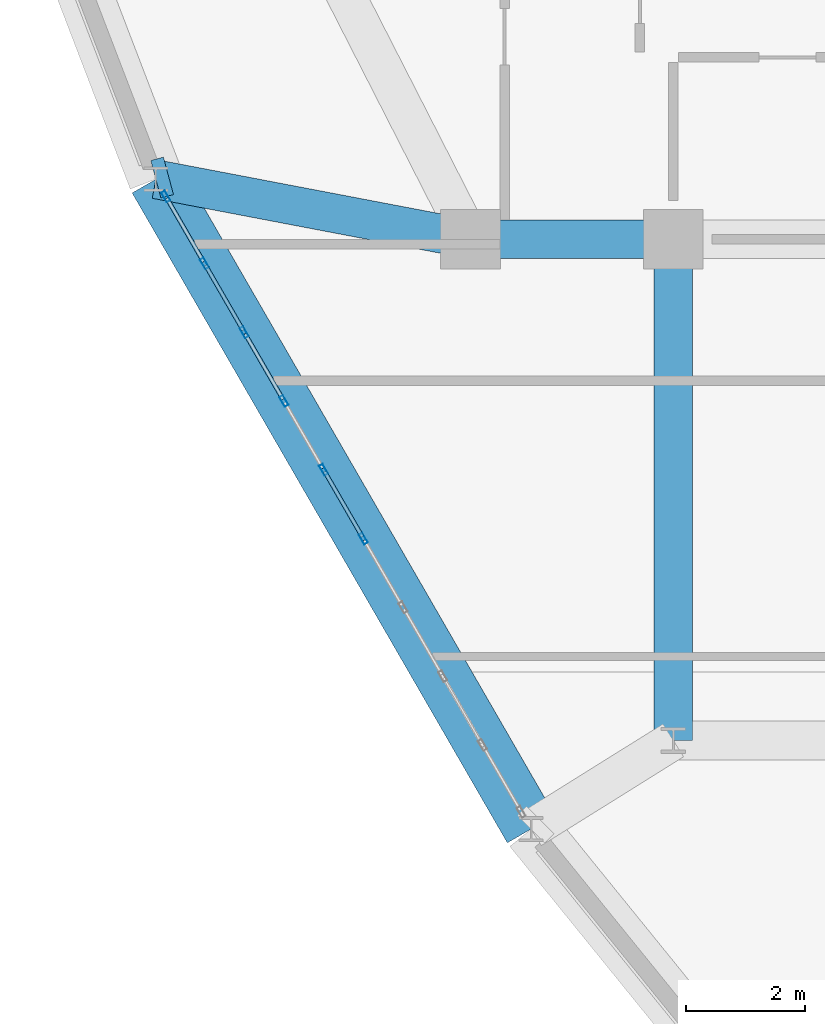
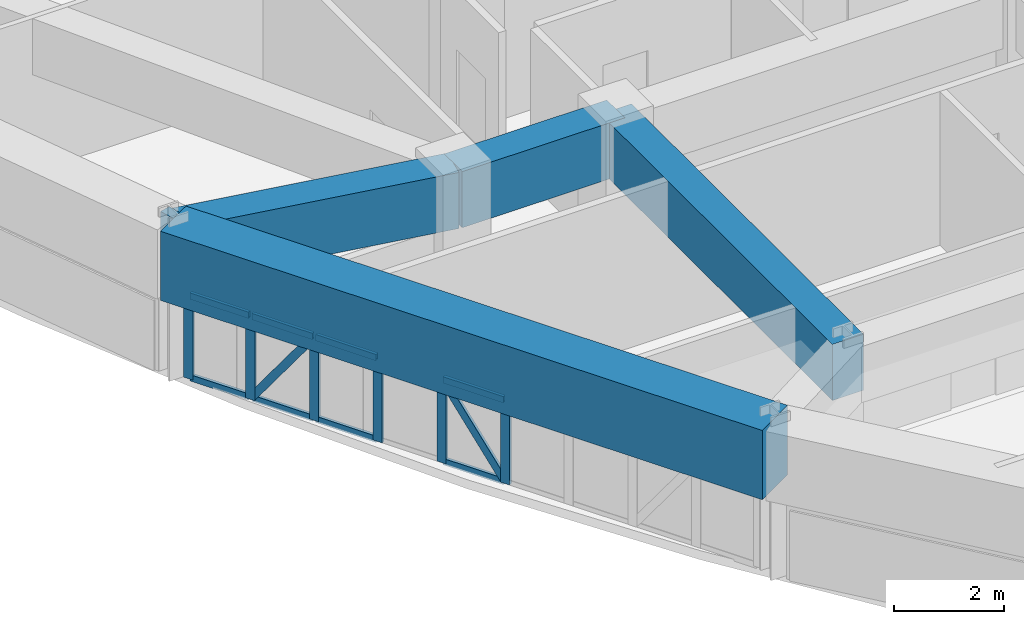
# One storey, part 4 of 14: 16 members, 5 beams, 1 element without a shape of its own.
"""IFC4 building model written with IfcOpenShell, lengths in metres."""

import ifcopenshell
import ifcopenshell.guid

model = None  # the IFC model being written
_history = None  # IfcOwnerHistory: only IFC2X3 demands one
_inside = {}  # id of a spatial element -> (the spatial element, [elements in it])
_under = {}  # id of a project, library or spatial element -> (it, [spatial elements below it])
_declared = {}  # id of a project -> (the project, [libraries it declares])
_typed = {}  # id of a type object -> (the type object, [elements of that type])
_made_of = {}  # id of a material, layer set ... -> (it, [elements and type objects made of it])


def new_model(schema):
    """Start an empty IFC model of exactly this schema.

    Asked for "IFC4X3", IfcOpenShell would pick the latest addendum, in which some entities
    have other attributes; the version numbers below select the first issue.
    IFC2X3 requires an IfcOwnerHistory on every rooted entity: one is made here for all.
    """
    global model, _history
    if schema == "IFC4X3":
        model = ifcopenshell.file(schema_version=(4, 3, 0, 0))
    else:
        model = ifcopenshell.file(schema=schema)
    _inside.clear()
    _under.clear()
    _declared.clear()
    _typed.clear()
    _made_of.clear()
    _history = None
    if model.schema == "IFC2X3":
        org = make("IfcOrganization", Name="unknown")
        user = make(
            "IfcPersonAndOrganization",
            ThePerson=make("IfcPerson", FamilyName="unknown"),
            TheOrganization=org,
        )
        app = make(
            "IfcApplication",
            ApplicationDeveloper=org,
            Version="unknown",
            ApplicationFullName="unknown",
            ApplicationIdentifier="unknown",
        )
        _history = make(
            "IfcOwnerHistory",
            OwningUser=user,
            OwningApplication=app,
            ChangeAction="ADDED",
            CreationDate=0,
        )
    return model


def make(cls, **values):
    """One entity of the class cls with the attributes given. An attribute that is None is left unset."""
    return model.create_entity(
        cls, **{name: value for name, value in values.items() if value is not None}
    )


def rooted(cls, **values):
    """An entity with a GlobalId (a new one), such as an element, a storey or a relation."""
    return make(cls, GlobalId=ifcopenshell.guid.new(), OwnerHistory=_history, **values)


def si_unit(unit_type, name, prefix=None):
    """IfcSIUnit, for example si_unit("LENGTHUNIT", "METRE", prefix="MILLI")."""
    return make("IfcSIUnit", UnitType=unit_type, Prefix=prefix, Name=name)


def derived_unit(unit_type, elements):
    """IfcDerivedUnit: a product of units, each with its exponent."""
    return make(
        "IfcDerivedUnit",
        Elements=[
            make("IfcDerivedUnitElement", Unit=unit, Exponent=power)
            for unit, power in elements
        ],
        UnitType=unit_type,
    )


def assignment(units):
    """IfcUnitAssignment: the units of a project."""
    return None if units is None else make("IfcUnitAssignment", Units=units)


def point(xyz):
    """IfcCartesianPoint."""
    return None if xyz is None else make("IfcCartesianPoint", Coordinates=xyz)


def direction(xyz):
    """IfcDirection."""
    return None if xyz is None else make("IfcDirection", DirectionRatios=xyz)


def frame(location, z_axis=None, x_axis=None):
    """IfcAxis2Placement3D, a coordinate frame: its origin and axes. An axis left out is left unset."""
    return make(
        "IfcAxis2Placement3D",
        Location=point(location),
        Axis=direction(z_axis),
        RefDirection=direction(x_axis),
    )


def frame_2d(location, x_axis=None):
    """IfcAxis2Placement2D, a coordinate frame in the plane: its origin and x axis."""
    return make(
        "IfcAxis2Placement2D", Location=point(location), RefDirection=direction(x_axis)
    )


def origin():
    """The frame at (0, 0, 0) with its axes left unset."""
    return frame((0.0, 0.0, 0.0))


def origin_2d():
    """The frame at (0, 0) in the plane with its x axis left unset."""
    return frame_2d((0.0, 0.0))


def place(relative_to, where):
    """IfcLocalPlacement: puts the frame where relative to a parent placement (None: the world)."""
    return make(
        "IfcLocalPlacement", PlacementRelTo=relative_to, RelativePlacement=where
    )


def context(
    kind, dimensions, precision=None, world=None, true_north=None, identifier=None
):
    """IfcGeometricRepresentationContext, for example the 3D "Model" context."""
    return make(
        "IfcGeometricRepresentationContext",
        ContextIdentifier=identifier,
        ContextType=kind,
        CoordinateSpaceDimension=dimensions,
        Precision=precision,
        WorldCoordinateSystem=world,
        TrueNorth=true_north,
    )


def subcontext(parent, identifier, kind, view, scale=None):
    """IfcGeometricRepresentationSubContext, for example "Body" below "Model"."""
    return make(
        "IfcGeometricRepresentationSubContext",
        ContextIdentifier=identifier,
        ContextType=kind,
        ParentContext=parent,
        TargetScale=scale,
        TargetView=view,
    )


def project(units=None, contexts=None):
    """IfcProject with its units and contexts."""
    return rooted(
        "IfcProject",
        Name="project",
        RepresentationContexts=contexts,
        UnitsInContext=assignment(units),
    )


def spatial(cls, under=None, at=None, **own):
    """A site, building, storey or space (cls), placed at a placement, below another one or the project."""
    s = rooted(cls, ObjectPlacement=at, **own)
    if under is not None:
        _under.setdefault(under.id(), (under, []))[1].append(s)
    return s


def profile(cls, at=None, kind="AREA", **sizes):
    """A parametric profile (cls). Its sizes go by their IFC names, for example OverallWidth=200.0."""
    return make(cls, ProfileType=kind, Position=at, **sizes)


def rectangle(**sizes):
    """IfcRectangleProfileDef."""
    return profile("IfcRectangleProfileDef", **sizes)


def hollow_rectangle(**sizes):
    """IfcRectangleHollowProfileDef."""
    return profile("IfcRectangleHollowProfileDef", **sizes)


def extrude(swept, where, along, depth):
    """IfcExtrudedAreaSolid: the profile swept, set in the frame where, extruded along a direction by depth."""
    return make(
        "IfcExtrudedAreaSolid",
        SweptArea=swept,
        Position=where,
        ExtrudedDirection=direction(along),
        Depth=depth,
    )


def shape(context_of_items, identifier, shape_type, items):
    """IfcShapeRepresentation: the items that make up one representation, for example the "Body"."""
    return make(
        "IfcShapeRepresentation",
        ContextOfItems=context_of_items,
        RepresentationIdentifier=identifier,
        RepresentationType=shape_type,
        Items=items,
    )


def source(mapping_origin, context_of_items, identifier, shape_type, items):
    """IfcRepresentationMap: a shape defined once, which mapped items show again and again."""
    return make(
        "IfcRepresentationMap",
        MappingOrigin=mapping_origin,
        MappedRepresentation=shape(context_of_items, identifier, shape_type, items),
    )


def transform(
    local_origin,
    x_axis=None,
    y_axis=None,
    z_axis=None,
    scale=None,
    scale2=None,
    scale3=None,
    uniform=True,
):
    """IfcCartesianTransformationOperator3D, or its non-uniform kind. x_axis, y_axis, z_axis: its Axis1, 2, 3."""
    if uniform:
        return make(
            "IfcCartesianTransformationOperator3D",
            Axis1=direction(x_axis),
            Axis2=direction(y_axis),
            LocalOrigin=point(local_origin),
            Scale=scale,
            Axis3=direction(z_axis),
        )
    return make(
        "IfcCartesianTransformationOperator3DnonUniform",
        Axis1=direction(x_axis),
        Axis2=direction(y_axis),
        LocalOrigin=point(local_origin),
        Scale=scale,
        Axis3=direction(z_axis),
        Scale2=scale2,
        Scale3=scale3,
    )


def mapped(mapping_source, mapping_target):
    """IfcMappedItem: shows the shape of a source again, moved by a transform."""
    return make(
        "IfcMappedItem", MappingSource=mapping_source, MappingTarget=mapping_target
    )


def material(Name=None, Category=None):
    """IfcMaterial."""
    return make("IfcMaterial", Name=Name, Category=Category)


def layer(
    of_material, thickness, ventilated=None, Name=None, Category=None, Priority=None
):
    """IfcMaterialLayer: one layer of a wall or slab, of a material (None: an air gap)."""
    return make(
        "IfcMaterialLayer",
        Material=of_material,
        LayerThickness=thickness,
        IsVentilated=ventilated,
        Name=Name,
        Category=Category,
        Priority=Priority,
    )


def layer_set(layers, Name=None):
    """IfcMaterialLayerSet."""
    return make("IfcMaterialLayerSet", MaterialLayers=layers, LayerSetName=Name)


def material_profile(
    of_material, cross_section, Name=None, Category=None, Priority=None
):
    """IfcMaterialProfile: a cross section and its material."""
    return make(
        "IfcMaterialProfile",
        Name=Name,
        Material=of_material,
        Profile=cross_section,
        Priority=Priority,
        Category=Category,
    )


def profile_set(profiles, Name=None, composite=None):
    """IfcMaterialProfileSet."""
    return make(
        "IfcMaterialProfileSet",
        Name=Name,
        MaterialProfiles=profiles,
        CompositeProfile=composite,
    )


def made_of(thing, what):
    """Note that an element or type object is made of a material, layer set ...; save() writes the relation."""
    if what is not None:
        _made_of.setdefault(what.id(), (what, []))[1].append(thing)
    return thing


def type_object(cls, material=None, **own):
    """A type object (cls), such as IfcWallType, which elements share."""
    return made_of(rooted(cls, **own), material)


def element(
    cls,
    number,
    at=None,
    inside=None,
    cuts=None,
    type_object=None,
    material=None,
    context=None,
    identifier="Body",
    shape_type=None,
    held_by="IfcProductDefinitionShape",
    body=None,
    shapes=None,
    **own,
):
    """One element of the class cls, such as IfcWall. Its Tag is "e" and its number.

    at: its placement. inside: the storey or other place that contains it. cuts: it is an
    opening in that element (IfcRelVoidsElement). A single representation is given by context,
    identifier, shape_type and body (its items); several are given by shapes. held_by: the class
    of the entity that holds the representations. save() writes the other relations.
    """
    e = rooted(cls, Tag="e%d" % number, ObjectPlacement=at, **own)
    if body is not None:
        shapes = [shape(context, identifier, shape_type, body)]
    if shapes is not None:
        e.Representation = make(held_by, Representations=shapes)
    if inside is not None:
        _inside.setdefault(inside.id(), (inside, []))[1].append(e)
    if cuts is not None:
        rooted(
            "IfcRelVoidsElement", RelatingBuildingElement=cuts, RelatedOpeningElement=e
        )
    if type_object is not None:
        _typed.setdefault(type_object.id(), (type_object, []))[1].append(e)
    return made_of(e, material)


def aggregate(whole, parts):
    """IfcRelAggregates: a whole, such as a stair, and the parts it consists of."""
    return rooted("IfcRelAggregates", RelatingObject=whole, RelatedObjects=parts)


def save(model, path):
    """Write the relations noted so far, then the file.

    IfcRelAggregates (storeys below a building ...), IfcRelContainedInSpatialStructure (elements
    in a storey), IfcRelDefinesByType, IfcRelAssociatesMaterial and IfcRelDeclares: one each for
    every whole, place, type object, material and project.
    """
    for whole, parts in _under.values():
        aggregate(whole, parts)
    for where, things in _inside.values():
        rooted(
            "IfcRelContainedInSpatialStructure",
            RelatedElements=things,
            RelatingStructure=where,
        )
    for kind, things in _typed.values():
        rooted("IfcRelDefinesByType", RelatedObjects=things, RelatingType=kind)
    for what, things in _made_of.values():
        rooted("IfcRelAssociatesMaterial", RelatedObjects=things, RelatingMaterial=what)
    for by, libraries in _declared.values():
        rooted("IfcRelDeclares", RelatingContext=by, RelatedDefinitions=libraries)
    model.write(path)


model = new_model("IFC4")

# Units and contexts
model_context = context("Model", 3, precision=1e-05, world=origin(), true_north=direction((0.0, 1.0)))
body_context = subcontext(model_context, "Body", "Model", "MODEL_VIEW")
ifc_project = project(units=[si_unit("LENGTHUNIT", "METRE"), si_unit("AREAUNIT", "SQUARE_METRE"), si_unit("VOLUMEUNIT", "CUBIC_METRE"), si_unit("PLANEANGLEUNIT", "RADIAN"), si_unit("MASSUNIT", "GRAM", prefix="KILO"), derived_unit("THERMALTRANSMITTANCEUNIT", [(si_unit("POWERUNIT", "WATT"), 1), (si_unit("LENGTHUNIT", "METRE"), -2), (si_unit("THERMODYNAMICTEMPERATUREUNIT", "KELVIN"), -1)])], contexts=[model_context])

# Site, building, storey
site_placement = place(None, origin())
site = spatial("IfcSite", under=ifc_project, at=site_placement, CompositionType="ELEMENT")
building_placement = place(site_placement, origin())
building = spatial("IfcBuilding", under=site, at=building_placement, Name="Korsvarv Bourse and Concert Hall", CompositionType="ELEMENT")
storey_placement = place(building_placement, frame((0.0, 0.0, 186.60009765625)))
storey = spatial("IfcBuildingStorey", under=building, at=storey_placement, Name="L48", CompositionType="ELEMENT", Elevation=186.60009765625)

# Beams
ifc_material_1 = material(Name="Concrete C50/60", Category="concrete")
ifc_material_profile_1 = material_profile(ifc_material_1, rectangle(XDim=0.64990234375, YDim=1.239990234375, at=origin_2d()), Name="RC-BM 650x1240")
ifc_profile_set_1 = profile_set([ifc_material_profile_1], Name="Concrete C50/60")
beam_type_1 = type_object("IfcBeamType", Name="BM-TR-SPN", PredefinedType="BEAM", material=ifc_profile_set_1)
shared_shape_1 = source(origin(), body_context, "Body", "SweptSolid", [
    extrude(rectangle(XDim=0.64990234375, YDim=1.239990234375, at=origin_2d()), origin(), (0.0, 0.0, 1.0), 3.400146484375),
])
beam_1_placement = place(storey_placement, frame((24.199951171875, 32.39990234375, 2.77978515625), z_axis=(1.0, 0.0, 0.0), x_axis=(0.0, 1.0, 0.0)))
element("IfcBeam", 1, at=beam_1_placement, inside=storey, type_object=beam_type_1, Name="L48 beam B-TRS", PredefinedType="BEAM", context=body_context, shape_type="MappedRepresentation", body=[
    mapped(shared_shape_1, transform((0.0, 0.0, 0.0), scale=1.0)),
])
shared_shape_2 = source(origin(), body_context, "Body", "SweptSolid", [
    extrude(rectangle(XDim=0.64990234375, YDim=1.239990234375, at=origin_2d()), origin(), (0.0, 0.0, 1.0), 8.39990234375),
])
beam_2_placement = place(storey_placement, frame((27.60009765625, 24.0, 2.77978515625), z_axis=(0.0, 1.0, 0.0), x_axis=(-1.0, 0.0, 0.0)))
element("IfcBeam", 2, at=beam_2_placement, inside=storey, type_object=beam_type_1, Name="L48 beam B-TRS", PredefinedType="BEAM", context=body_context, shape_type="MappedRepresentation", body=[
    mapped(shared_shape_2, transform((0.0, 0.0, 0.0), scale=1.0)),
])
ifc_material_profile_2 = material_profile(ifc_material_1, rectangle(XDim=0.919921875, YDim=1.530029296875, at=origin_2d()), Name="RC-BM 920x1530")
ifc_profile_set_2 = profile_set([ifc_material_profile_2], Name="Concrete C50/60")
beam_type_2 = type_object("IfcBeamType", Name="BM-TR-154", PredefinedType="BEAM", material=ifc_profile_set_2)
shared_shape_3 = source(origin(), body_context, "Body", "SweptSolid", [
    extrude(rectangle(XDim=0.919921875, YDim=1.530029296875, at=origin_2d()), origin(), (0.0, 0.0, 1.0), 12.57861328125),
])
beam_3_placement = place(storey_placement, frame((18.927490234375, 33.405517578125, 2.635009765625), z_axis=(0.500003032783, -0.866023652799, 0.0), x_axis=(0.866023652799, 0.500003032783, 0.0)))
element("IfcBeam", 3, at=beam_3_placement, inside=storey, type_object=beam_type_2, Name="L48 beam B-TR6", PredefinedType="BEAM", context=body_context, shape_type="MappedRepresentation", body=[
    mapped(shared_shape_3, transform((0.0, 0.0, 0.0), scale=1.0)),
])
shared_shape_4 = source(origin(), body_context, "Body", "SweptSolid", [
    extrude(rectangle(XDim=0.64990234375, YDim=1.239990234375, at=origin_2d()), origin(), (0.0, 0.0, 1.0), 5.367431640625),
])
beam_4_placement = place(storey_placement, frame((18.927490234375, 33.405517578125, 2.77978515625), z_axis=(0.982292753488, -0.187352465809, 0.0), x_axis=(0.187352465809, 0.982292753488, 0.0)))
element("IfcBeam", 4, at=beam_4_placement, inside=storey, type_object=beam_type_1, Name="L48 beam B-TRS", PredefinedType="BEAM", context=body_context, shape_type="MappedRepresentation", body=[
    mapped(shared_shape_4, transform((0.0, 0.0, 0.0), scale=1.0)),
])
shared_shape_5 = source(origin(), body_context, "Body", "SweptSolid", [
    extrude(rectangle(XDim=0.64990234375, YDim=1.239990234375, at=origin_2d()), origin(), (0.0, 0.0, 1.0), 0.21826171875),
])
beam_5_placement = place(storey_placement, frame((18.927490234375, 33.405517578125, 2.77978515625), z_axis=(0.965712929821, 0.259612282408, 0.0), x_axis=(-0.259612282408, 0.965712929821, 0.0)))
element("IfcBeam", 5, at=beam_5_placement, inside=storey, type_object=beam_type_1, Name="L48 beam B-TRS", PredefinedType="BEAM", context=body_context, shape_type="MappedRepresentation", body=[
    mapped(shared_shape_5, transform((0.0, 0.0, 0.0), scale=1.0)),
])

# Curtain wall, members
ifc_material_2 = material(Name="Anodised aluminium and triple low-E glazing", Category="glass")
ifc_layer = layer(ifc_material_2, 0.199951171875)
ifc_layer_set = layer_set([ifc_layer], Name="Anodised aluminium and triple low-E glazing")
curtain_wall_type = type_object("IfcCurtainWallType", Name="CW-SYS-3", PredefinedType="NOTDEFINED", material=ifc_layer_set)
curtain_wall_placement = place(storey_placement, origin())
curtain_wall = element("IfcCurtainWall", 6, at=curtain_wall_placement, inside=storey, type_object=curtain_wall_type, Name="L48 CW3 curtain wall CW-L48-F07", PredefinedType="NOTDEFINED")
ifc_material_3 = material(Name="Extruded aluminium EN AW-6063 T66", Category="aluminium")
ifc_material_profile_3 = material_profile(ifc_material_3, hollow_rectangle(XDim=0.070068359375, YDim=0.18994140625, WallThickness=0.0048828125, at=origin_2d()), Name="ALU-M 70x190")
ifc_profile_set_3 = profile_set([ifc_material_profile_3], Name="Extruded aluminium EN AW-6063 T66")
member_type_1 = type_object("IfcMemberType", Name="CWM-190", PredefinedType="MULLION", material=ifc_profile_set_3)
shared_shape_6 = source(origin(), body_context, "Body", "SweptSolid", [
    extrude(hollow_rectangle(XDim=0.070068359375, YDim=0.18994140625, WallThickness=0.0048828125, at=origin_2d()), origin(), (0.0, 0.0, 1.0), 1.869873046875),
])
member_1_placement = place(storey_placement, frame((19.093994140625, 33.1171875, 0.0), z_axis=(0.0, 0.0, 1.0), x_axis=(0.866028825281, 0.499994073747, 0.0)))
member_1 = element("IfcMember", 7, at=member_1_placement, type_object=member_type_1, Name="CW3 mullion 1", PredefinedType="MULLION", context=body_context, shape_type="MappedRepresentation", body=[
    mapped(shared_shape_6, transform((0.0, 0.0, 0.0), scale=1.0)),
])
member_2_placement = place(storey_placement, frame((19.7421875, 31.994384765625, 0.0), z_axis=(0.0, 0.0, 1.0), x_axis=(0.866028825281, 0.499994073747, 0.0)))
member_2 = element("IfcMember", 8, at=member_2_placement, type_object=member_type_1, Name="CW3 mullion 2", PredefinedType="MULLION", context=body_context, shape_type="MappedRepresentation", body=[
    mapped(shared_shape_6, transform((0.0, 0.0, 0.0), scale=1.0)),
])
member_3_placement = place(storey_placement, frame((20.407958984375, 30.84130859375, 0.0), z_axis=(0.0, 0.0, 1.0), x_axis=(0.866028825281, 0.499994073747, 0.0)))
member_3 = element("IfcMember", 9, at=member_3_placement, type_object=member_type_1, Name="CW3 mullion 3", PredefinedType="MULLION", context=body_context, shape_type="MappedRepresentation", body=[
    mapped(shared_shape_6, transform((0.0, 0.0, 0.0), scale=1.0)),
])
member_4_placement = place(storey_placement, frame((21.07373046875, 29.6884765625, 0.0), z_axis=(0.0, 0.0, 1.0), x_axis=(0.866028825281, 0.499994073747, 0.0)))
member_4 = element("IfcMember", 10, at=member_4_placement, type_object=member_type_1, Name="CW3 mullion 4", PredefinedType="MULLION", context=body_context, shape_type="MappedRepresentation", body=[
    mapped(shared_shape_6, transform((0.0, 0.0, 0.0), scale=1.0)),
])
member_5_placement = place(storey_placement, frame((21.739501953125, 28.535400390625, 0.0), z_axis=(0.0, 0.0, 1.0), x_axis=(0.866028825281, 0.499994073747, 0.0)))
member_5 = element("IfcMember", 11, at=member_5_placement, type_object=member_type_1, Name="CW3 mullion 5", PredefinedType="MULLION", context=body_context, shape_type="MappedRepresentation", body=[
    mapped(shared_shape_6, transform((0.0, 0.0, 0.0), scale=1.0)),
])
member_6_placement = place(storey_placement, frame((22.405029296875, 27.38232421875, 0.0), z_axis=(0.0, 0.0, 1.0), x_axis=(0.866028825281, 0.499994073747, 0.0)))
member_6 = element("IfcMember", 12, at=member_6_placement, type_object=member_type_1, Name="CW3 mullion 6", PredefinedType="MULLION", context=body_context, shape_type="MappedRepresentation", body=[
    mapped(shared_shape_6, transform((0.0, 0.0, 0.0), scale=1.0)),
])
ifc_material_profile_4 = material_profile(ifc_material_3, hollow_rectangle(XDim=0.06494140625, YDim=0.139892578125, WallThickness=0.00390625, at=origin_2d()), Name="ALU-T 65x140")
ifc_profile_set_4 = profile_set([ifc_material_profile_4], Name="Extruded aluminium EN AW-6063 T66")
member_type_2 = type_object("IfcMemberType", Name="CWT-140", PredefinedType="USERDEFINED", material=ifc_profile_set_4)
shared_shape_7 = source(origin(), body_context, "Body", "SweptSolid", [
    extrude(hollow_rectangle(XDim=0.06494140625, YDim=0.139892578125, WallThickness=0.00390625, at=origin_2d()), origin(), (0.0, 0.0, 1.0), 1.2265625),
])
member_7_placement = place(storey_placement, frame((19.111572265625, 33.0869140625, 0.032470703125), z_axis=(0.49999238347, -0.866029801145, 0.0), x_axis=(0.866029801145, 0.49999238347, 0.0)))
member_7 = element("IfcMember", 13, at=member_7_placement, type_object=member_type_2, Name="CW3 transom 1.1", ObjectType="TRANSOM", PredefinedType="USERDEFINED", context=body_context, shape_type="MappedRepresentation", body=[
    mapped(shared_shape_7, transform((0.0, 0.0, 0.0), scale=1.0)),
])
member_8_placement = place(storey_placement, frame((19.111572265625, 33.0869140625, 1.83740234375), z_axis=(0.49999238347, -0.866029801145, 0.0), x_axis=(0.866029801145, 0.49999238347, 0.0)))
member_8 = element("IfcMember", 14, at=member_8_placement, type_object=member_type_2, Name="CW3 transom 1.2", ObjectType="TRANSOM", PredefinedType="USERDEFINED", context=body_context, shape_type="MappedRepresentation", body=[
    mapped(shared_shape_7, transform((0.0, 0.0, 0.0), scale=1.0)),
])
shared_shape_8 = source(origin(), body_context, "Body", "SweptSolid", [
    extrude(hollow_rectangle(XDim=0.06494140625, YDim=0.139892578125, WallThickness=0.00390625, at=origin_2d()), origin(), (0.0, 0.0, 1.0), 1.26123046875),
])
member_9_placement = place(storey_placement, frame((19.759765625, 31.964111328125, 0.032470703125), z_axis=(0.499990548297, -0.866030860659, 0.0), x_axis=(0.866030860659, 0.499990548297, 0.0)))
member_9 = element("IfcMember", 15, at=member_9_placement, type_object=member_type_2, Name="CW3 transom 2.1", ObjectType="TRANSOM", PredefinedType="USERDEFINED", context=body_context, shape_type="MappedRepresentation", body=[
    mapped(shared_shape_8, transform((0.0, 0.0, 0.0), scale=1.0)),
])
member_10_placement = place(storey_placement, frame((19.759765625, 31.964111328125, 1.83740234375), z_axis=(0.499990548297, -0.866030860659, 0.0), x_axis=(0.866030860659, 0.499990548297, 0.0)))
member_10 = element("IfcMember", 16, at=member_10_placement, type_object=member_type_2, Name="CW3 transom 2.2", ObjectType="TRANSOM", PredefinedType="USERDEFINED", context=body_context, shape_type="MappedRepresentation", body=[
    mapped(shared_shape_8, transform((0.0, 0.0, 0.0), scale=1.0)),
])
member_11_placement = place(storey_placement, frame((20.425537109375, 30.81103515625, 0.032470703125), z_axis=(0.499990548297, -0.866030860659, 0.0), x_axis=(0.866030860659, 0.499990548297, 0.0)))
member_11 = element("IfcMember", 17, at=member_11_placement, type_object=member_type_2, Name="CW3 transom 3.1", ObjectType="TRANSOM", PredefinedType="USERDEFINED", context=body_context, shape_type="MappedRepresentation", body=[
    mapped(shared_shape_8, transform((0.0, 0.0, 0.0), scale=1.0)),
])
member_12_placement = place(storey_placement, frame((20.425537109375, 30.81103515625, 1.83740234375), z_axis=(0.499990548297, -0.866030860659, 0.0), x_axis=(0.866030860659, 0.499990548297, 0.0)))
member_12 = element("IfcMember", 18, at=member_12_placement, type_object=member_type_2, Name="CW3 transom 3.2", ObjectType="TRANSOM", PredefinedType="USERDEFINED", context=body_context, shape_type="MappedRepresentation", body=[
    mapped(shared_shape_8, transform((0.0, 0.0, 0.0), scale=1.0)),
])
ifc_material_profile_5 = material_profile(ifc_material_3, hollow_rectangle(XDim=0.06494140625, YDim=0.1650390625, WallThickness=0.0048828125, at=origin_2d()), Name="ALU-M 65x165")
ifc_profile_set_5 = profile_set([ifc_material_profile_5], Name="Extruded aluminium EN AW-6063 T66")
member_type_3 = type_object("IfcMemberType", Name="CWM-165", PredefinedType="MULLION", material=ifc_profile_set_5)
shared_shape_9 = source(origin(), body_context, "Body", "SweptSolid", [
    extrude(hollow_rectangle(XDim=0.06494140625, YDim=0.1650390625, WallThickness=0.0048828125, at=origin_2d()), origin(), (0.0, 0.0, 1.0), 2.14892578125),
])
member_13_placement = place(storey_placement, frame((19.759765625, 31.964111328125, 0.06494140625), z_axis=(0.293441848657, -0.508269001506, 0.809663203786), x_axis=(0.866030860659, 0.499990548297, 0.0)))
member_13 = element("IfcMember", 19, at=member_13_placement, type_object=member_type_3, Name="CW3 diagonal mullion 2", PredefinedType="MULLION", context=body_context, shape_type="MappedRepresentation", body=[
    mapped(shared_shape_9, transform((0.0, 0.0, 0.0), scale=1.0)),
])
shared_shape_10 = source(origin(), body_context, "Body", "SweptSolid", [
    extrude(hollow_rectangle(XDim=0.06494140625, YDim=0.139892578125, WallThickness=0.00390625, at=origin_2d()), origin(), (0.0, 0.0, 1.0), 1.261474609375),
])
member_14_placement = place(storey_placement, frame((21.7568359375, 28.505126953125, 0.032470703125), z_axis=(0.500051892845, -0.865995441363, 0.0), x_axis=(0.865995441363, 0.500051892845, 0.0)))
member_14 = element("IfcMember", 20, at=member_14_placement, type_object=member_type_2, Name="CW3 transom 5.1", ObjectType="TRANSOM", PredefinedType="USERDEFINED", context=body_context, shape_type="MappedRepresentation", body=[
    mapped(shared_shape_10, transform((0.0, 0.0, 0.0), scale=1.0)),
])
member_15_placement = place(storey_placement, frame((21.7568359375, 28.505126953125, 1.83740234375), z_axis=(0.500051892845, -0.865995441363, 0.0), x_axis=(0.865995441363, 0.500051892845, 0.0)))
member_15 = element("IfcMember", 21, at=member_15_placement, type_object=member_type_2, Name="CW3 transom 5.2", ObjectType="TRANSOM", PredefinedType="USERDEFINED", context=body_context, shape_type="MappedRepresentation", body=[
    mapped(shared_shape_10, transform((0.0, 0.0, 0.0), scale=1.0)),
])
shared_shape_11 = source(origin(), body_context, "Body", "SweptSolid", [
    extrude(hollow_rectangle(XDim=0.06494140625, YDim=0.1650390625, WallThickness=0.0048828125, at=origin_2d()), origin(), (0.0, 0.0, 1.0), 2.149169921875),
])
member_16_placement = place(storey_placement, frame((22.3876953125, 27.41259765625, 0.06494140625), z_axis=(-0.293528717011, 0.508336303648, 0.809589460581), x_axis=(-0.865995441363, -0.500051892845, 0.0)))
member_16 = element("IfcMember", 22, at=member_16_placement, type_object=member_type_3, Name="CW3 diagonal mullion 5", PredefinedType="MULLION", context=body_context, shape_type="MappedRepresentation", body=[
    mapped(shared_shape_11, transform((0.0, 0.0, 0.0), scale=1.0)),
])
aggregate(curtain_wall, [member_1, member_2, member_3, member_4, member_5, member_6, member_7, member_8, member_9, member_10, member_13, member_11, member_12, member_14, member_15, member_16])

save(model, "model.ifc")
